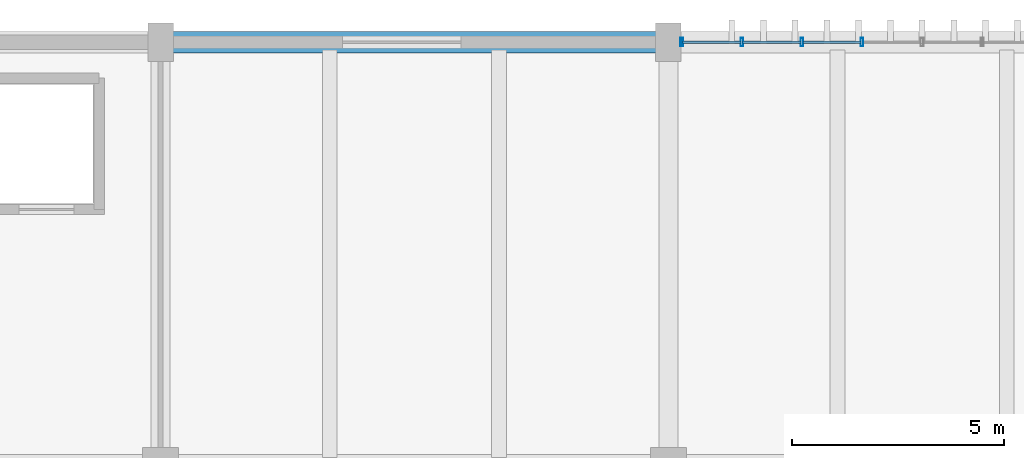
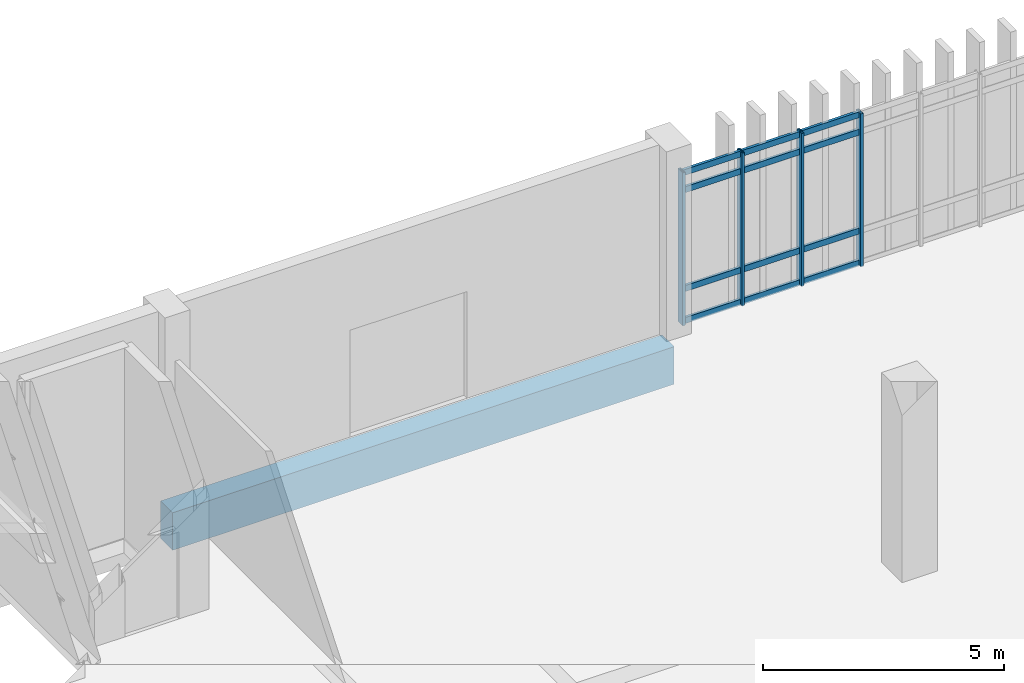
# One storey, part 57 of 87: 16 members, 1 beam, 1 element without a shape of its own.
"""IFC4 building model written with IfcOpenShell, lengths in metres."""

from ifc_helpers import new_model, si_unit, direction, frame, origin, origin_2d, place, context, subcontext, project, spatial, rectangle, hollow_rectangle, extrude, material, layer, layer_set, material_profile, profile_set, type_object, element, aggregate, save


model = new_model("IFC4")

# Units and contexts
model_context = context("Model", 3, precision=1e-05, world=origin(), true_north=direction((0.0, 1.0)))
body_context = subcontext(model_context, "Body", "Model", "MODEL_VIEW")
ifc_project = project(units=[si_unit("LENGTHUNIT", "METRE"), si_unit("AREAUNIT", "SQUARE_METRE"), si_unit("VOLUMEUNIT", "CUBIC_METRE"), si_unit("PLANEANGLEUNIT", "RADIAN"), si_unit("MASSUNIT", "GRAM", prefix="KILO")], contexts=[model_context])

# Site, building, storey
site_placement = place(None, origin())
site = spatial("IfcSite", under=ifc_project, at=site_placement, CompositionType="ELEMENT")
building_placement = place(site_placement, origin())
building = spatial("IfcBuilding", under=site, at=building_placement, Name="Mersad Railyard Sports Hall", CompositionType="ELEMENT")
storey_placement = place(building_placement, origin())
storey = spatial("IfcBuildingStorey", under=building, at=storey_placement, Name="L00", CompositionType="ELEMENT", Elevation=0.0)

# Curtain wall, members
ifc_material_1 = material(Name="Aluminium 6063-T6", Category="aluminium")
ifc_layer = layer(ifc_material_1, 0.199951171875)
ifc_layer_set = layer_set([ifc_layer], Name="Aluminium 6063-T6")
curtain_wall_type = type_object("IfcCurtainWallType", Name="ARC-CW-CW28", PredefinedType="USERDEFINED", material=ifc_layer_set)
curtain_wall_placement = place(storey_placement, origin())
curtain_wall = element("IfcCurtainWall", 1, at=curtain_wall_placement, inside=storey, type_object=curtain_wall_type, Name="Curtain wall CW28-0088", ObjectType="CURTAIN WALL", PredefinedType="USERDEFINED")
ifc_material_profile_1 = material_profile(ifc_material_1, hollow_rectangle(XDim=0.06494140625, YDim=0.199951171875, WallThickness=0.0048828125, at=origin_2d()), Name="AL MULLION 65x200x5")
ifc_profile_set_1 = profile_set([ifc_material_profile_1], Name="Aluminium 6063-T6")
member_type_1 = type_object("IfcMemberType", Name="ARC-CW-MUL02", PredefinedType="MULLION", material=ifc_profile_set_1)
member_1_placement = place(storey_placement, frame((161.320068359375, 115.0, -0.02001953125), z_axis=(0.0, 0.0, 1.0), x_axis=(1.0, 0.0, 0.0)))
member_1 = element("IfcMember", 2, at=member_1_placement, type_object=member_type_1, Name="CW28 Mullion 1", PredefinedType="MULLION", context=body_context, shape_type="SweptSolid", body=[
    extrude(hollow_rectangle(XDim=0.06494140625, YDim=0.199951171875, WallThickness=0.0048828125, at=origin_2d()), origin(), (0.0, 0.0, 1.0), 3.8701171875),
])
member_2_placement = place(storey_placement, frame((162.739990234375, 115.0, -0.02001953125), z_axis=(0.0, 0.0, 1.0), x_axis=(1.0, 0.0, 0.0)))
member_2 = element("IfcMember", 3, at=member_2_placement, type_object=member_type_1, Name="CW28 Mullion 2", PredefinedType="MULLION", context=body_context, shape_type="SweptSolid", body=[
    extrude(hollow_rectangle(XDim=0.06494140625, YDim=0.199951171875, WallThickness=0.0048828125, at=origin_2d()), origin(), (0.0, 0.0, 1.0), 3.8701171875),
])
member_3_placement = place(storey_placement, frame((164.159912109375, 115.0, -0.02001953125), z_axis=(0.0, 0.0, 1.0), x_axis=(1.0, 0.0, 0.0)))
member_3 = element("IfcMember", 4, at=member_3_placement, type_object=member_type_1, Name="CW28 Mullion 3", PredefinedType="MULLION", context=body_context, shape_type="SweptSolid", body=[
    extrude(hollow_rectangle(XDim=0.06494140625, YDim=0.199951171875, WallThickness=0.0048828125, at=origin_2d()), origin(), (0.0, 0.0, 1.0), 3.8701171875),
])
member_4_placement = place(storey_placement, frame((165.580078125, 115.0, -0.02001953125), z_axis=(0.0, 0.0, 1.0), x_axis=(1.0, 0.0, 0.0)))
member_4 = element("IfcMember", 5, at=member_4_placement, type_object=member_type_1, Name="CW28 Mullion 4", PredefinedType="MULLION", context=body_context, shape_type="SweptSolid", body=[
    extrude(hollow_rectangle(XDim=0.06494140625, YDim=0.199951171875, WallThickness=0.0048828125, at=origin_2d()), origin(), (0.0, 0.0, 1.0), 3.8701171875),
])
ifc_material_profile_2 = material_profile(ifc_material_1, hollow_rectangle(XDim=0.06494140625, YDim=0.14990234375, WallThickness=0.00439453125, at=origin_2d()), Name="AL TRANSOM 65x150x4.5")
ifc_profile_set_2 = profile_set([ifc_material_profile_2], Name="Aluminium 6063-T6")
member_type_2 = type_object("IfcMemberType", Name="ARC-CW-TRN02", PredefinedType="USERDEFINED", material=ifc_profile_set_2)
member_5_placement = place(storey_placement, frame((161.340087890625, 115.0, 0.0400390625), z_axis=(1.0, 0.0, 0.0), x_axis=(0.0, 1.0, 0.0)))
member_5 = element("IfcMember", 6, at=member_5_placement, type_object=member_type_2, Name="CW28 Transom 1-1", ObjectType="TRANSOM", PredefinedType="USERDEFINED", context=body_context, shape_type="SweptSolid", body=[
    extrude(hollow_rectangle(XDim=0.06494140625, YDim=0.14990234375, WallThickness=0.00439453125, at=origin_2d()), origin(), (0.0, 0.0, 1.0), 1.3798828125),
])
member_6_placement = place(storey_placement, frame((162.760009765625, 115.0, 0.0400390625), z_axis=(1.0, 0.0, 0.0), x_axis=(0.0, 1.0, 0.0)))
member_6 = element("IfcMember", 7, at=member_6_placement, type_object=member_type_2, Name="CW28 Transom 1-2", ObjectType="TRANSOM", PredefinedType="USERDEFINED", context=body_context, shape_type="SweptSolid", body=[
    extrude(hollow_rectangle(XDim=0.06494140625, YDim=0.14990234375, WallThickness=0.00439453125, at=origin_2d()), origin(), (0.0, 0.0, 1.0), 1.3798828125),
])
member_7_placement = place(storey_placement, frame((164.179931640625, 115.0, 0.0400390625), z_axis=(1.0, 0.0, 0.0), x_axis=(0.0, 1.0, 0.0)))
member_7 = element("IfcMember", 8, at=member_7_placement, type_object=member_type_2, Name="CW28 Transom 1-3", ObjectType="TRANSOM", PredefinedType="USERDEFINED", context=body_context, shape_type="SweptSolid", body=[
    extrude(hollow_rectangle(XDim=0.06494140625, YDim=0.14990234375, WallThickness=0.00439453125, at=origin_2d()), origin(), (0.0, 0.0, 1.0), 1.380126953125),
])
member_8_placement = place(storey_placement, frame((161.340087890625, 115.0, 0.85009765625), z_axis=(1.0, 0.0, 0.0), x_axis=(0.0, 1.0, 0.0)))
member_8 = element("IfcMember", 9, at=member_8_placement, type_object=member_type_2, Name="CW28 Transom 2-1", ObjectType="TRANSOM", PredefinedType="USERDEFINED", context=body_context, shape_type="SweptSolid", body=[
    extrude(hollow_rectangle(XDim=0.06494140625, YDim=0.14990234375, WallThickness=0.00439453125, at=origin_2d()), origin(), (0.0, 0.0, 1.0), 1.3798828125),
])
member_9_placement = place(storey_placement, frame((162.760009765625, 115.0, 0.85009765625), z_axis=(1.0, 0.0, 0.0), x_axis=(0.0, 1.0, 0.0)))
member_9 = element("IfcMember", 10, at=member_9_placement, type_object=member_type_2, Name="CW28 Transom 2-2", ObjectType="TRANSOM", PredefinedType="USERDEFINED", context=body_context, shape_type="SweptSolid", body=[
    extrude(hollow_rectangle(XDim=0.06494140625, YDim=0.14990234375, WallThickness=0.00439453125, at=origin_2d()), origin(), (0.0, 0.0, 1.0), 1.3798828125),
])
member_10_placement = place(storey_placement, frame((164.179931640625, 115.0, 0.85009765625), z_axis=(1.0, 0.0, 0.0), x_axis=(0.0, 1.0, 0.0)))
member_10 = element("IfcMember", 11, at=member_10_placement, type_object=member_type_2, Name="CW28 Transom 2-3", ObjectType="TRANSOM", PredefinedType="USERDEFINED", context=body_context, shape_type="SweptSolid", body=[
    extrude(hollow_rectangle(XDim=0.06494140625, YDim=0.14990234375, WallThickness=0.00439453125, at=origin_2d()), origin(), (0.0, 0.0, 1.0), 1.380126953125),
])
member_11_placement = place(storey_placement, frame((161.340087890625, 115.0, 3.35009765625), z_axis=(1.0, 0.0, 0.0), x_axis=(0.0, 1.0, 0.0)))
member_11 = element("IfcMember", 12, at=member_11_placement, type_object=member_type_2, Name="CW28 Transom 3-1", ObjectType="TRANSOM", PredefinedType="USERDEFINED", context=body_context, shape_type="SweptSolid", body=[
    extrude(hollow_rectangle(XDim=0.06494140625, YDim=0.14990234375, WallThickness=0.00439453125, at=origin_2d()), origin(), (0.0, 0.0, 1.0), 1.3798828125),
])
member_12_placement = place(storey_placement, frame((162.760009765625, 115.0, 3.35009765625), z_axis=(1.0, 0.0, 0.0), x_axis=(0.0, 1.0, 0.0)))
member_12 = element("IfcMember", 13, at=member_12_placement, type_object=member_type_2, Name="CW28 Transom 3-2", ObjectType="TRANSOM", PredefinedType="USERDEFINED", context=body_context, shape_type="SweptSolid", body=[
    extrude(hollow_rectangle(XDim=0.06494140625, YDim=0.14990234375, WallThickness=0.00439453125, at=origin_2d()), origin(), (0.0, 0.0, 1.0), 1.3798828125),
])
member_13_placement = place(storey_placement, frame((164.179931640625, 115.0, 3.35009765625), z_axis=(1.0, 0.0, 0.0), x_axis=(0.0, 1.0, 0.0)))
member_13 = element("IfcMember", 14, at=member_13_placement, type_object=member_type_2, Name="CW28 Transom 3-3", ObjectType="TRANSOM", PredefinedType="USERDEFINED", context=body_context, shape_type="SweptSolid", body=[
    extrude(hollow_rectangle(XDim=0.06494140625, YDim=0.14990234375, WallThickness=0.00439453125, at=origin_2d()), origin(), (0.0, 0.0, 1.0), 1.380126953125),
])
member_14_placement = place(storey_placement, frame((161.340087890625, 115.0, 3.7900390625), z_axis=(1.0, 0.0, 0.0), x_axis=(0.0, 1.0, 0.0)))
member_14 = element("IfcMember", 15, at=member_14_placement, type_object=member_type_2, Name="CW28 Transom 4-1", ObjectType="TRANSOM", PredefinedType="USERDEFINED", context=body_context, shape_type="SweptSolid", body=[
    extrude(hollow_rectangle(XDim=0.06494140625, YDim=0.14990234375, WallThickness=0.00439453125, at=origin_2d()), origin(), (0.0, 0.0, 1.0), 1.3798828125),
])
member_15_placement = place(storey_placement, frame((162.760009765625, 115.0, 3.7900390625), z_axis=(1.0, 0.0, 0.0), x_axis=(0.0, 1.0, 0.0)))
member_15 = element("IfcMember", 16, at=member_15_placement, type_object=member_type_2, Name="CW28 Transom 4-2", ObjectType="TRANSOM", PredefinedType="USERDEFINED", context=body_context, shape_type="SweptSolid", body=[
    extrude(hollow_rectangle(XDim=0.06494140625, YDim=0.14990234375, WallThickness=0.00439453125, at=origin_2d()), origin(), (0.0, 0.0, 1.0), 1.3798828125),
])
member_16_placement = place(storey_placement, frame((164.179931640625, 115.0, 3.7900390625), z_axis=(1.0, 0.0, 0.0), x_axis=(0.0, 1.0, 0.0)))
member_16 = element("IfcMember", 17, at=member_16_placement, type_object=member_type_2, Name="CW28 Transom 4-3", ObjectType="TRANSOM", PredefinedType="USERDEFINED", context=body_context, shape_type="SweptSolid", body=[
    extrude(hollow_rectangle(XDim=0.06494140625, YDim=0.14990234375, WallThickness=0.00439453125, at=origin_2d()), origin(), (0.0, 0.0, 1.0), 1.380126953125),
])
aggregate(curtain_wall, [member_1, member_2, member_3, member_4, member_5, member_6, member_7, member_8, member_9, member_10, member_11, member_12, member_13, member_14, member_15, member_16])

# Beam
ifc_material_2 = material(Name="Concrete C50/60", Category="concrete")
ifc_material_profile_3 = material_profile(ifc_material_2, rectangle(XDim=0.5, YDim=0.949951171875, at=origin_2d()), Name="RC 500x950")
ifc_profile_set_3 = profile_set([ifc_material_profile_3], Name="Concrete C50/60")
beam_type = type_object("IfcBeamType", Name="STR-BM-B03", PredefinedType="BEAM", material=ifc_profile_set_3)
beam_placement = place(storey_placement, frame((149.0, 115.0, -0.824951171875), z_axis=(1.0, 0.0, 0.0), x_axis=(0.0, 1.0, 0.0)))
element("IfcBeam", 18, at=beam_placement, inside=storey, type_object=beam_type, Name="Beam B03-0210", PredefinedType="BEAM", context=body_context, shape_type="SweptSolid", body=[
    extrude(rectangle(XDim=0.5, YDim=0.949951171875, at=origin_2d()), origin(), (0.0, 0.0, 1.0), 12.0),
])

save(model, "model.ifc")
